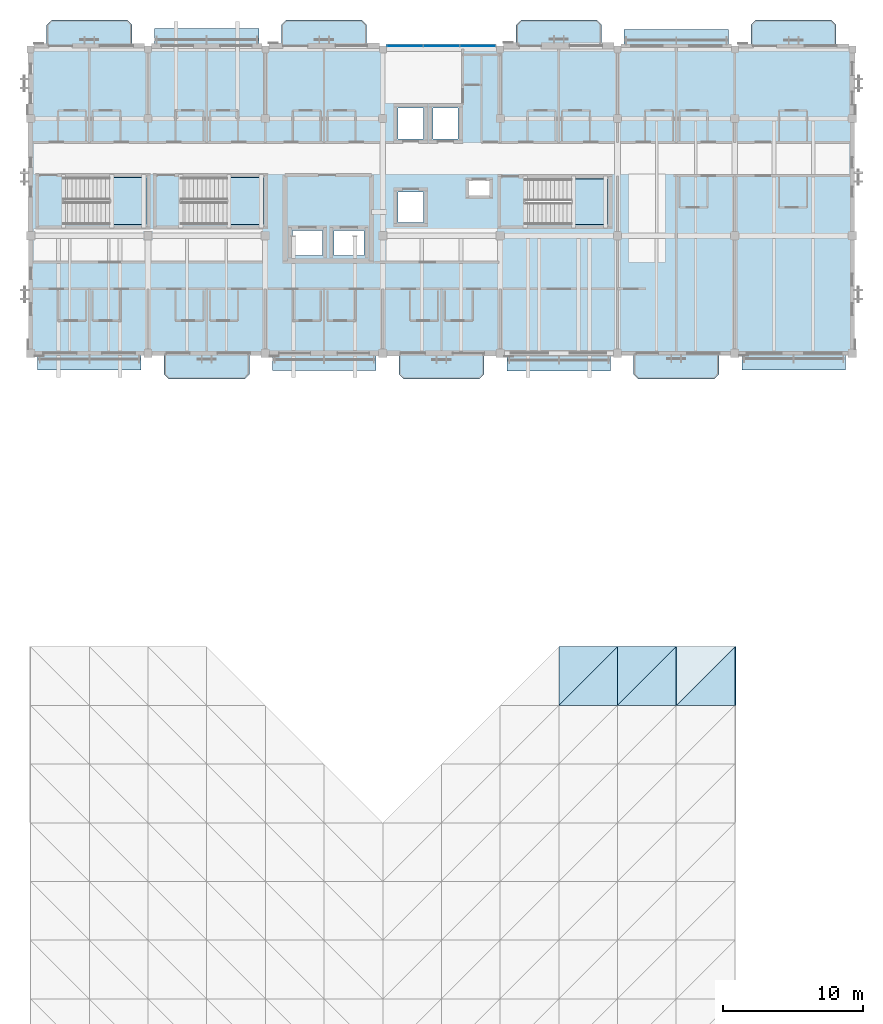
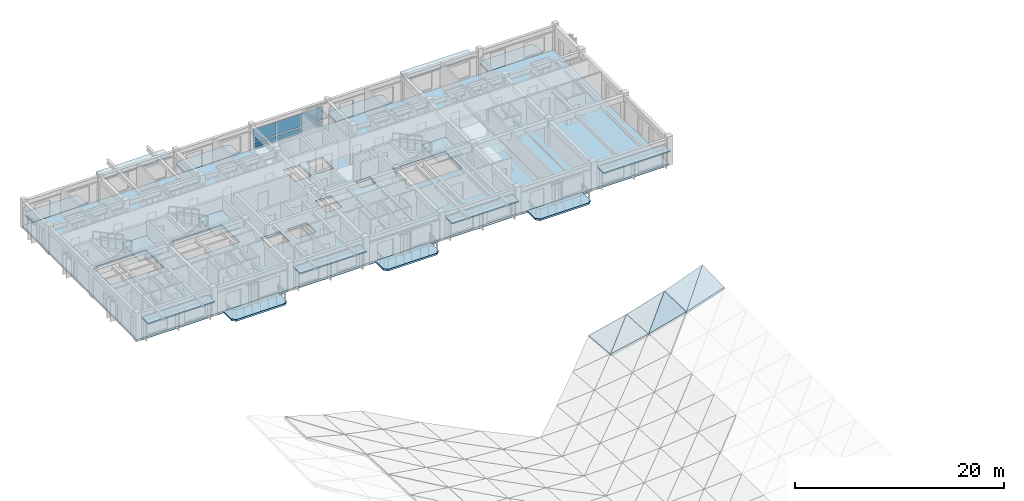
# One storey, part 11 of 31: 17 slabs, 12 plates, 10 elements without a shape of their own.
"""IFC4 building model written with IfcOpenShell, lengths in metres."""

import ifcopenshell
import ifcopenshell.guid

model = None  # the IFC model being written
_history = None  # IfcOwnerHistory: only IFC2X3 demands one
_inside = {}  # id of a spatial element -> (the spatial element, [elements in it])
_under = {}  # id of a project, library or spatial element -> (it, [spatial elements below it])
_declared = {}  # id of a project -> (the project, [libraries it declares])
_typed = {}  # id of a type object -> (the type object, [elements of that type])
_made_of = {}  # id of a material, layer set ... -> (it, [elements and type objects made of it])


def new_model(schema):
    """Start an empty IFC model of exactly this schema.

    Asked for "IFC4X3", IfcOpenShell would pick the latest addendum, in which some entities
    have other attributes; the version numbers below select the first issue.
    IFC2X3 requires an IfcOwnerHistory on every rooted entity: one is made here for all.
    """
    global model, _history
    if schema == "IFC4X3":
        model = ifcopenshell.file(schema_version=(4, 3, 0, 0))
    else:
        model = ifcopenshell.file(schema=schema)
    _inside.clear()
    _under.clear()
    _declared.clear()
    _typed.clear()
    _made_of.clear()
    _history = None
    if model.schema == "IFC2X3":
        org = make("IfcOrganization", Name="unknown")
        user = make(
            "IfcPersonAndOrganization",
            ThePerson=make("IfcPerson", FamilyName="unknown"),
            TheOrganization=org,
        )
        app = make(
            "IfcApplication",
            ApplicationDeveloper=org,
            Version="unknown",
            ApplicationFullName="unknown",
            ApplicationIdentifier="unknown",
        )
        _history = make(
            "IfcOwnerHistory",
            OwningUser=user,
            OwningApplication=app,
            ChangeAction="ADDED",
            CreationDate=0,
        )
    return model


def make(cls, **values):
    """One entity of the class cls with the attributes given. An attribute that is None is left unset."""
    return model.create_entity(
        cls, **{name: value for name, value in values.items() if value is not None}
    )


def rooted(cls, **values):
    """An entity with a GlobalId (a new one), such as an element, a storey or a relation."""
    return make(cls, GlobalId=ifcopenshell.guid.new(), OwnerHistory=_history, **values)


def si_unit(unit_type, name, prefix=None):
    """IfcSIUnit, for example si_unit("LENGTHUNIT", "METRE", prefix="MILLI")."""
    return make("IfcSIUnit", UnitType=unit_type, Prefix=prefix, Name=name)


def assignment(units):
    """IfcUnitAssignment: the units of a project."""
    return None if units is None else make("IfcUnitAssignment", Units=units)


def point(xyz):
    """IfcCartesianPoint."""
    return None if xyz is None else make("IfcCartesianPoint", Coordinates=xyz)


def direction(xyz):
    """IfcDirection."""
    return None if xyz is None else make("IfcDirection", DirectionRatios=xyz)


def frame(location, z_axis=None, x_axis=None):
    """IfcAxis2Placement3D, a coordinate frame: its origin and axes. An axis left out is left unset."""
    return make(
        "IfcAxis2Placement3D",
        Location=point(location),
        Axis=direction(z_axis),
        RefDirection=direction(x_axis),
    )


def frame_2d(location, x_axis=None):
    """IfcAxis2Placement2D, a coordinate frame in the plane: its origin and x axis."""
    return make(
        "IfcAxis2Placement2D", Location=point(location), RefDirection=direction(x_axis)
    )


def origin():
    """The frame at (0, 0, 0) with its axes left unset."""
    return frame((0.0, 0.0, 0.0))


def origin_2d():
    """The frame at (0, 0) in the plane with its x axis left unset."""
    return frame_2d((0.0, 0.0))


def place(relative_to, where):
    """IfcLocalPlacement: puts the frame where relative to a parent placement (None: the world)."""
    return make(
        "IfcLocalPlacement", PlacementRelTo=relative_to, RelativePlacement=where
    )


def context(
    kind, dimensions, precision=None, world=None, true_north=None, identifier=None
):
    """IfcGeometricRepresentationContext, for example the 3D "Model" context."""
    return make(
        "IfcGeometricRepresentationContext",
        ContextIdentifier=identifier,
        ContextType=kind,
        CoordinateSpaceDimension=dimensions,
        Precision=precision,
        WorldCoordinateSystem=world,
        TrueNorth=true_north,
    )


def subcontext(parent, identifier, kind, view, scale=None):
    """IfcGeometricRepresentationSubContext, for example "Body" below "Model"."""
    return make(
        "IfcGeometricRepresentationSubContext",
        ContextIdentifier=identifier,
        ContextType=kind,
        ParentContext=parent,
        TargetScale=scale,
        TargetView=view,
    )


def project(units=None, contexts=None):
    """IfcProject with its units and contexts."""
    return rooted(
        "IfcProject",
        Name="project",
        RepresentationContexts=contexts,
        UnitsInContext=assignment(units),
    )


def spatial(cls, under=None, at=None, **own):
    """A site, building, storey or space (cls), placed at a placement, below another one or the project."""
    s = rooted(cls, ObjectPlacement=at, **own)
    if under is not None:
        _under.setdefault(under.id(), (under, []))[1].append(s)
    return s


def polyline(points):
    """IfcPolyline through the points."""
    return make("IfcPolyline", Points=[point(p) for p in points])


def profile(cls, at=None, kind="AREA", **sizes):
    """A parametric profile (cls). Its sizes go by their IFC names, for example OverallWidth=200.0."""
    return make(cls, ProfileType=kind, Position=at, **sizes)


def rectangle(**sizes):
    """IfcRectangleProfileDef."""
    return profile("IfcRectangleProfileDef", **sizes)


def outline(outer, holes=None, kind="AREA"):
    """IfcArbitraryClosedProfileDef: a profile drawn as a closed curve; with holes, ...WithVoids."""
    if holes is None:
        return make("IfcArbitraryClosedProfileDef", ProfileType=kind, OuterCurve=outer)
    return make(
        "IfcArbitraryProfileDefWithVoids",
        ProfileType=kind,
        OuterCurve=outer,
        InnerCurves=holes,
    )


def extrude(swept, where, along, depth):
    """IfcExtrudedAreaSolid: the profile swept, set in the frame where, extruded along a direction by depth."""
    return make(
        "IfcExtrudedAreaSolid",
        SweptArea=swept,
        Position=where,
        ExtrudedDirection=direction(along),
        Depth=depth,
    )


def shape(context_of_items, identifier, shape_type, items):
    """IfcShapeRepresentation: the items that make up one representation, for example the "Body"."""
    return make(
        "IfcShapeRepresentation",
        ContextOfItems=context_of_items,
        RepresentationIdentifier=identifier,
        RepresentationType=shape_type,
        Items=items,
    )


def material(Name=None, Category=None):
    """IfcMaterial."""
    return make("IfcMaterial", Name=Name, Category=Category)


def layer(
    of_material, thickness, ventilated=None, Name=None, Category=None, Priority=None
):
    """IfcMaterialLayer: one layer of a wall or slab, of a material (None: an air gap)."""
    return make(
        "IfcMaterialLayer",
        Material=of_material,
        LayerThickness=thickness,
        IsVentilated=ventilated,
        Name=Name,
        Category=Category,
        Priority=Priority,
    )


def layer_set(layers, Name=None):
    """IfcMaterialLayerSet."""
    return make("IfcMaterialLayerSet", MaterialLayers=layers, LayerSetName=Name)


def made_of(thing, what):
    """Note that an element or type object is made of a material, layer set ...; save() writes the relation."""
    if what is not None:
        _made_of.setdefault(what.id(), (what, []))[1].append(thing)
    return thing


def type_object(cls, material=None, **own):
    """A type object (cls), such as IfcWallType, which elements share."""
    return made_of(rooted(cls, **own), material)


def element(
    cls,
    number,
    at=None,
    inside=None,
    cuts=None,
    type_object=None,
    material=None,
    context=None,
    identifier="Body",
    shape_type=None,
    held_by="IfcProductDefinitionShape",
    body=None,
    shapes=None,
    **own,
):
    """One element of the class cls, such as IfcWall. Its Tag is "e" and its number.

    at: its placement. inside: the storey or other place that contains it. cuts: it is an
    opening in that element (IfcRelVoidsElement). A single representation is given by context,
    identifier, shape_type and body (its items); several are given by shapes. held_by: the class
    of the entity that holds the representations. save() writes the other relations.
    """
    e = rooted(cls, Tag="e%d" % number, ObjectPlacement=at, **own)
    if body is not None:
        shapes = [shape(context, identifier, shape_type, body)]
    if shapes is not None:
        e.Representation = make(held_by, Representations=shapes)
    if inside is not None:
        _inside.setdefault(inside.id(), (inside, []))[1].append(e)
    if cuts is not None:
        rooted(
            "IfcRelVoidsElement", RelatingBuildingElement=cuts, RelatedOpeningElement=e
        )
    if type_object is not None:
        _typed.setdefault(type_object.id(), (type_object, []))[1].append(e)
    return made_of(e, material)


def aggregate(whole, parts):
    """IfcRelAggregates: a whole, such as a stair, and the parts it consists of."""
    return rooted("IfcRelAggregates", RelatingObject=whole, RelatedObjects=parts)


def save(model, path):
    """Write the relations noted so far, then the file.

    IfcRelAggregates (storeys below a building ...), IfcRelContainedInSpatialStructure (elements
    in a storey), IfcRelDefinesByType, IfcRelAssociatesMaterial and IfcRelDeclares: one each for
    every whole, place, type object, material and project.
    """
    for whole, parts in _under.values():
        aggregate(whole, parts)
    for where, things in _inside.values():
        rooted(
            "IfcRelContainedInSpatialStructure",
            RelatedElements=things,
            RelatingStructure=where,
        )
    for kind, things in _typed.values():
        rooted("IfcRelDefinesByType", RelatedObjects=things, RelatingType=kind)
    for what, things in _made_of.values():
        rooted("IfcRelAssociatesMaterial", RelatedObjects=things, RelatingMaterial=what)
    for by, libraries in _declared.values():
        rooted("IfcRelDeclares", RelatingContext=by, RelatedDefinitions=libraries)
    model.write(path)


model = new_model("IFC4")

# Units and contexts
model_context = context("Model", 3, precision=1e-05, world=origin(), true_north=direction((0.0, 1.0)))
body_context = subcontext(model_context, "Body", "Model", "MODEL_VIEW")
ifc_project = project(units=[si_unit("LENGTHUNIT", "METRE"), si_unit("AREAUNIT", "SQUARE_METRE"), si_unit("VOLUMEUNIT", "CUBIC_METRE"), si_unit("PLANEANGLEUNIT", "RADIAN"), si_unit("MASSUNIT", "GRAM", prefix="KILO")], contexts=[model_context])

# Site, building, storey
site_placement = place(None, origin())
site = spatial("IfcSite", under=ifc_project, at=site_placement, CompositionType="ELEMENT")
building_placement = place(site_placement, origin())
building = spatial("IfcBuilding", under=site, at=building_placement, Name="Cumbredor Promenade Congress Hotel", CompositionType="ELEMENT")
storey_placement = place(building_placement, frame((0.0, 0.0, 31.919921875)))
storey = spatial("IfcBuildingStorey", under=building, at=storey_placement, Name="L09", CompositionType="ELEMENT", Elevation=31.919921875)

# Slabs
ifc_material_1 = material(Name="Concrete C40/50", Category="concrete")
ifc_layer_1 = layer(ifc_material_1, 0.215087890625, Name="Concrete C40/50", Category="concrete")
ifc_layer_set_1 = layer_set([ifc_layer_1], Name="Concrete C40/50")
slab_type_1 = type_object("IfcSlabType", Name="Cantilevered Guestroom Balcony Slab 215mm", PredefinedType="FLOOR", material=ifc_layer_set_1)
slab_1_placement = place(storey_placement, frame((0.0, 0.0, -0.21484375)))
element("IfcSlab", 1, at=slab_1_placement, inside=storey, type_object=slab_type_1, Name="L09 Cantilevered Guestroom Veranda Balcony 053", PredefinedType="FLOOR", context=body_context, shape_type="SweptSolid", body=[
    extrude(outline(polyline([(9.550048828125, 114.39990234375), (15.64990234375, 114.39990234375), (15.64990234375, 115.89990234375), (15.300048828125, 116.25), (9.89990234375, 116.25), (9.550048828125, 115.89990234375), (9.550048828125, 114.39990234375)])), origin(), (0.0, 0.0, 1.0), 0.21484375),
])
slab_2_placement = place(storey_placement, frame((0.0, 0.0, -0.21484375)))
element("IfcSlab", 2, at=slab_2_placement, inside=storey, type_object=slab_type_1, Name="L09 Cantilevered Guestroom Veranda Balcony 054", PredefinedType="FLOOR", context=body_context, shape_type="SweptSolid", body=[
    extrude(outline(polyline([(26.35009765625, 114.39990234375), (32.449951171875, 114.39990234375), (32.449951171875, 115.89990234375), (32.10009765625, 116.25), (26.699951171875, 116.25), (26.35009765625, 115.89990234375), (26.35009765625, 114.39990234375)])), origin(), (0.0, 0.0, 1.0), 0.21484375),
])
slab_3_placement = place(storey_placement, frame((0.0, 0.0, -0.21484375)))
element("IfcSlab", 3, at=slab_3_placement, inside=storey, type_object=slab_type_1, Name="L09 Cantilevered Guestroom Veranda Balcony 055", PredefinedType="FLOOR", context=body_context, shape_type="SweptSolid", body=[
    extrude(outline(polyline([(43.14990234375, 114.39990234375), (49.25, 114.39990234375), (49.25, 115.89990234375), (48.89990234375, 116.25), (43.5, 116.25), (43.14990234375, 115.89990234375), (43.14990234375, 114.39990234375)])), origin(), (0.0, 0.0, 1.0), 0.21484375),
])
slab_4_placement = place(storey_placement, frame((0.0, 0.0, -0.21484375)))
element("IfcSlab", 4, at=slab_4_placement, inside=storey, type_object=slab_type_1, Name="L09 Cantilevered Guestroom Veranda Balcony 056", PredefinedType="FLOOR", context=body_context, shape_type="SweptSolid", body=[
    extrude(outline(polyline([(59.949951171875, 114.39990234375), (66.050048828125, 114.39990234375), (66.050048828125, 115.89990234375), (65.699951171875, 116.25), (60.300048828125, 116.25), (59.949951171875, 115.89990234375), (59.949951171875, 114.39990234375)])), origin(), (0.0, 0.0, 1.0), 0.21484375),
])
slab_5_placement = place(storey_placement, frame((0.0, 0.0, -0.21484375)))
element("IfcSlab", 5, at=slab_5_placement, inside=storey, type_object=slab_type_1, Name="L09 Cantilevered Guestroom Veranda Balcony 057", PredefinedType="FLOOR", context=body_context, shape_type="SweptSolid", body=[
    extrude(outline(polyline([(18.300048828125, 90.550048828125), (23.699951171875, 90.550048828125), (24.050048828125, 90.89990234375), (24.050048828125, 92.39990234375), (17.949951171875, 92.39990234375), (17.949951171875, 90.89990234375), (18.300048828125, 90.550048828125)])), origin(), (0.0, 0.0, 1.0), 0.21484375),
])
slab_6_placement = place(storey_placement, frame((0.0, 0.0, -0.21484375)))
element("IfcSlab", 6, at=slab_6_placement, inside=storey, type_object=slab_type_1, Name="L09 Cantilevered Guestroom Veranda Balcony 058", PredefinedType="FLOOR", context=body_context, shape_type="SweptSolid", body=[
    extrude(outline(polyline([(35.10009765625, 90.550048828125), (40.5, 90.550048828125), (40.85009765625, 90.89990234375), (40.85009765625, 92.39990234375), (34.75, 92.39990234375), (34.75, 90.89990234375), (35.10009765625, 90.550048828125)])), origin(), (0.0, 0.0, 1.0), 0.21484375),
])
slab_7_placement = place(storey_placement, frame((0.0, 0.0, -0.21484375)))
element("IfcSlab", 7, at=slab_7_placement, inside=storey, type_object=slab_type_1, Name="L09 Cantilevered Guestroom Veranda Balcony 059", PredefinedType="FLOOR", context=body_context, shape_type="SweptSolid", body=[
    extrude(outline(polyline([(51.89990234375, 90.550048828125), (57.300048828125, 90.550048828125), (57.64990234375, 90.89990234375), (57.64990234375, 92.39990234375), (51.550048828125, 92.39990234375), (51.550048828125, 90.89990234375), (51.89990234375, 90.550048828125)])), origin(), (0.0, 0.0, 1.0), 0.21484375),
])
ifc_layer_2 = layer(ifc_material_1, 0.25, Name="Concrete C40/50", Category="concrete")
ifc_layer_set_2 = layer_set([ifc_layer_2], Name="Concrete C40/50")
slab_type_2 = type_object("IfcSlabType", Name="Catenary Space Frame Roof Deck 250mm", PredefinedType="ROOF", material=ifc_layer_set_2)
slab_8_placement = place(storey_placement, frame((46.199951171875, 67.199951171875, 0.350341796875), z_axis=(-0.205963343256, 0.061539212814, 0.976622765719), x_axis=(0.978477306539, 0.0, 0.206354453765)))
element("IfcSlab", 8, at=slab_8_placement, inside=storey, type_object=slab_type_2, Name="Plenary Congress Hall Sweeping Roof Deck Facet 13.17.1", PredefinedType="ROOF", context=body_context, shape_type="SweptSolid", body=[
    extrude(outline(polyline([(0.0, 0.0), (4.292333755528742, 0.0), (4.237722371768619, 4.2079265961241745), (0.0, 0.0)])), origin(), (0.0, 0.0, -1.0), 0.25),
])
slab_9_placement = place(storey_placement, frame((46.199951171875, 67.199951171875, 0.350341796875), z_axis=(-0.231257969912, 0.087974902339, 0.968906686895), x_axis=(0.703272296544, 0.703272296544, 0.104000739546)))
element("IfcSlab", 9, at=slab_9_placement, inside=storey, type_object=slab_type_2, Name="Plenary Congress Hall Sweeping Roof Deck Facet 13.17.2", PredefinedType="ROOF", context=body_context, shape_type="SweptSolid", body=[
    extrude(outline(polyline([(0.0, 0.0), (5.972012821365794, -3.3306690738754696e-16), (2.9140488677450915, 3.0484971834422123), (0.0, 0.0)])), origin(), (0.0, 0.0, -1.0), 0.25),
])
slab_10_placement = place(storey_placement, frame((50.39990234375, 67.199951171875, 1.236083984375), z_axis=(-0.261616348868, 0.026359449419, 0.964811932675), x_axis=(0.965147293036, 0.0, 0.26170728447)))
element("IfcSlab", 10, at=slab_10_placement, inside=storey, type_object=slab_type_2, Name="Plenary Congress Hall Sweeping Roof Deck Facet 14.17.1", PredefinedType="ROOF", context=body_context, shape_type="SweptSolid", body=[
    extrude(outline(polyline([(0.0, 0.0), (4.351869753771831, 3.469446951953614e-18), (4.321839865173025, 4.20141103891964), (0.0, 0.0)])), origin(), (0.0, 0.0, -1.0), 0.25),
])
slab_11_placement = place(storey_placement, frame((50.39990234375, 67.199951171875, 1.236083984375), z_axis=(-0.29281693134, 0.06013108631, 0.954275902022), x_axis=(0.696844478616, 0.696803973822, 0.169917611474)))
element("IfcSlab", 11, at=slab_11_placement, inside=storey, type_object=slab_type_2, Name="Plenary Congress Hall Sweeping Roof Deck Facet 14.17.2", PredefinedType="ROOF", context=body_context, shape_type="SweptSolid", body=[
    extrude(outline(polyline([(0.0, 0.0), (6.0274500859115046, 1.1102230246251565e-16), (2.881574236039302, 3.0669461299148844), (0.0, 0.0)])), origin(), (0.0, 0.0, -1.0), 0.25),
])
slab_12_placement = place(storey_placement, frame((54.60009765625, 67.199951171875, 2.375), z_axis=(-0.314533857634, -0.015558419199, 0.949118742831), x_axis=(0.949233637624, 0.0, 0.314571933273)))
element("IfcSlab", 12, at=slab_12_placement, inside=storey, type_object=slab_type_2, Name="Plenary Congress Hall Sweeping Roof Deck Facet 15.17.1", PredefinedType="ROOF", context=body_context, shape_type="SweptSolid", body=[
    extrude(outline(polyline([(0.0, 0.0), (4.424570522371829, 0.0), (4.446228062699702, 4.20045959352691), (0.0, 0.0)])), origin(), (0.0, 0.0, -1.0), 0.25),
])
slab_13_placement = place(storey_placement, frame((54.60009765625, 67.199951171875, 2.375), z_axis=(-0.351098055303, 0.02557199535, 0.935989438304), x_axis=(0.686647917834, 0.686647917834, 0.238808027228)))
element("IfcSlab", 13, at=slab_13_placement, inside=storey, type_object=slab_type_2, Name="Plenary Congress Hall Sweeping Roof Deck Facet 15.17.2", PredefinedType="ROOF", context=body_context, shape_type="SweptSolid", body=[
    extrude(outline(polyline([(0.0, 0.0), (6.116600753882061, -5.551115123125783e-17), (2.8564854388919025, 3.0811113984345986), (0.0, 0.0)])), origin(), (0.0, 0.0, -1.0), 0.25),
])

# Stair, slab
stair_type_1 = type_object("IfcStairType", Name="Protected Dog-Leg Exit Stair ST-T2 1600mm", PredefinedType="HALF_TURN_STAIR", material=ifc_material_1)
stair_1_placement = place(storey_placement, origin())
stair_1 = element("IfcStair", 14, at=stair_1_placement, inside=storey, type_object=stair_type_1, Name="L09 Protected Exit Stair ST-01", PredefinedType="HALF_TURN_STAIR")
ifc_layer_3 = layer(ifc_material_1, 0.199951171875, Name="Concrete C40/50", Category="concrete")
ifc_layer_set_3 = layer_set([ifc_layer_3], Name="Concrete C40/50")
slab_type_3 = type_object("IfcSlabType", Name="Concrete Stair Landing Slab 200mm", PredefinedType="LANDING", material=ifc_layer_set_3)
slab_14_placement = place(storey_placement, frame((0.0, 0.0, 1.47998046875)))
slab_14 = element("IfcSlab", 15, at=slab_14_placement, type_object=slab_type_3, Name="ST-01 landing 1", PredefinedType="LANDING", context=body_context, shape_type="SweptSolid", body=[
    extrude(outline(polyline([(14.050048828125, 101.6201171875), (16.64990234375, 101.6201171875), (16.64990234375, 104.969970703125), (14.050048828125, 104.969970703125), (14.050048828125, 101.6201171875)])), origin(), (0.0, 0.0, 1.0), 0.2001953125),
])
aggregate(stair_1, [slab_14])

stair_2_placement = place(storey_placement, origin())
stair_2 = element("IfcStair", 16, at=stair_2_placement, inside=storey, type_object=stair_type_1, Name="L09 Protected Exit Stair ST-02", PredefinedType="HALF_TURN_STAIR")
slab_15_placement = place(storey_placement, frame((0.0, 0.0, 1.47998046875)))
slab_15 = element("IfcSlab", 17, at=slab_15_placement, type_object=slab_type_3, Name="ST-02 landing 1", PredefinedType="LANDING", context=body_context, shape_type="SweptSolid", body=[
    extrude(outline(polyline([(22.449951171875, 101.6201171875), (25.050048828125, 101.6201171875), (25.050048828125, 104.969970703125), (22.449951171875, 104.969970703125), (22.449951171875, 101.6201171875)])), origin(), (0.0, 0.0, 1.0), 0.2001953125),
])
aggregate(stair_2, [slab_15])

stair_type_2 = type_object("IfcStairType", Name="Protected Dog-Leg Exit Stair ST-T1 1550mm", PredefinedType="HALF_TURN_STAIR", material=ifc_material_1)
stair_3_placement = place(storey_placement, origin())
stair_3 = element("IfcStair", 18, at=stair_3_placement, inside=storey, type_object=stair_type_2, Name="L09 Protected Exit Stair ST-03", PredefinedType="HALF_TURN_STAIR")
slab_16_placement = place(storey_placement, frame((0.0, 0.0, 1.47998046875)))
slab_16 = element("IfcSlab", 19, at=slab_16_placement, type_object=slab_type_3, Name="ST-03 landing 1", PredefinedType="LANDING", context=body_context, shape_type="SweptSolid", body=[
    extrude(outline(polyline([(47.10009765625, 101.6201171875), (49.699951171875, 101.6201171875), (49.699951171875, 104.8701171875), (47.10009765625, 104.8701171875), (47.10009765625, 101.6201171875)])), origin(), (0.0, 0.0, 1.0), 0.2001953125),
])
aggregate(stair_3, [slab_16])

# Curtain wall, plates
ifc_material_2 = material(Name="Thermally broken anodized aluminium and low-E glass", Category="aluminium")
curtain_wall_type_1 = type_object("IfcCurtainWallType", Name="Unitised Bronze Curtain Wall CW-01", PredefinedType="NOTDEFINED", material=ifc_material_2)
curtain_wall_1_placement = place(storey_placement, origin())
curtain_wall_1 = element("IfcCurtainWall", 20, at=curtain_wall_1_placement, inside=storey, type_object=curtain_wall_type_1, Name="L09 Stepped Congress Hotel Wing North Curtain Wall 4", PredefinedType="NOTDEFINED")
ifc_material_3 = material(Name="Laminated low-E solar-control glass", Category="glass")
ifc_layer_4 = layer(ifc_material_3, 0.028076171875, Name="Laminated low-E solar-control glass", Category="glass")
ifc_layer_set_4 = layer_set([ifc_layer_4], Name="Laminated low-E solar-control glass")
plate_type_1 = type_object("IfcPlateType", Name="Glazed Vision Panel PNL-01", PredefinedType="CURTAIN_PANEL", material=ifc_layer_set_4)
plate_1_placement = place(storey_placement, frame((35.203369140625, 114.39990234375, 0.78515625), z_axis=(0.0, 0.0, 1.0), x_axis=(1.0, 0.0, 0.0)))
plate_1 = element("IfcPlate", 21, at=plate_1_placement, type_object=plate_type_1, Name="L09 Stepped Congress Hotel Wing North Curtain Wall 4 Glazing Panel 1.2", PredefinedType="CURTAIN_PANEL", context=body_context, shape_type="SweptSolid", body=[
    extrude(rectangle(XDim=2.53173828125, YDim=0.028076171875, at=origin_2d()), origin(), (0.0, 0.0, 1.0), 1.56005859375),
])
plate_2_placement = place(storey_placement, frame((37.800048828125, 114.39990234375, 0.78515625), z_axis=(0.0, 0.0, 1.0), x_axis=(1.0, 0.0, 0.0)))
plate_2 = element("IfcPlate", 22, at=plate_2_placement, type_object=plate_type_1, Name="L09 Stepped Congress Hotel Wing North Curtain Wall 4 Glazing Panel 2.2", PredefinedType="CURTAIN_PANEL", context=body_context, shape_type="SweptSolid", body=[
    extrude(rectangle(XDim=2.531494140625, YDim=0.028076171875, at=origin_2d()), origin(), (0.0, 0.0, 1.0), 1.56005859375),
])
plate_3_placement = place(storey_placement, frame((40.396728515625, 114.39990234375, 0.78515625), z_axis=(0.0, 0.0, 1.0), x_axis=(1.0, 0.0, 0.0)))
plate_3 = element("IfcPlate", 23, at=plate_3_placement, type_object=plate_type_1, Name="L09 Stepped Congress Hotel Wing North Curtain Wall 4 Glazing Panel 3.2", PredefinedType="CURTAIN_PANEL", context=body_context, shape_type="SweptSolid", body=[
    extrude(rectangle(XDim=2.53173828125, YDim=0.028076171875, at=origin_2d()), origin(), (0.0, 0.0, 1.0), 1.56005859375),
])

# Curtain wall, plate
curtain_wall_type_2 = type_object("IfcCurtainWallType", Name="Solar Brise-Soleil Screen Assembly CW-07", PredefinedType="NOTDEFINED", material=ifc_material_2)
curtain_wall_2_placement = place(storey_placement, origin())
curtain_wall_2 = element("IfcCurtainWall", 24, at=curtain_wall_2_placement, inside=storey, type_object=curtain_wall_type_2, Name="L09 Hospitality Brise-Soleil Screen 111", PredefinedType="NOTDEFINED")
ifc_material_4 = material(Name="Precast concrete C40/50", Category="concrete")
ifc_layer_5 = layer(ifc_material_4, 0.14501953125, Name="Precast concrete C40/50", Category="concrete")
ifc_layer_set_5 = layer_set([ifc_layer_5], Name="Precast concrete C40/50")
plate_type_2 = type_object("IfcPlateType", Name="Horizontal Precast Sun-Hood Eyebrow Plate 145mm", PredefinedType="USERDEFINED", material=ifc_layer_set_5)
plate_4_placement = place(storey_placement, frame((12.60009765625, 91.833740234375, 2.31396484375), z_axis=(0.0, 0.0, 1.0), x_axis=(1.0, 0.0, 0.0)))
plate_4 = element("IfcPlate", 25, at=plate_4_placement, type_object=plate_type_2, Name="L09 Horizontal Sun-Hood Eyebrow 111", ObjectType="SUN HOOD", PredefinedType="USERDEFINED", context=body_context, shape_type="SweptSolid", body=[
    extrude(rectangle(XDim=7.39794921875, YDim=1.29248046875, at=origin_2d()), origin(), (0.0, 0.0, 1.0), 0.14501953125),
])
aggregate(curtain_wall_2, [plate_4])

curtain_wall_3_placement = place(storey_placement, origin())
curtain_wall_3 = element("IfcCurtainWall", 26, at=curtain_wall_3_placement, inside=storey, type_object=curtain_wall_type_2, Name="L09 Hospitality Brise-Soleil Screen 112", PredefinedType="NOTDEFINED")
plate_5_placement = place(storey_placement, frame((29.39990234375, 91.820068359375, 2.31396484375), z_axis=(0.0, 0.0, 1.0), x_axis=(1.0, 0.0, 0.0)))
plate_5 = element("IfcPlate", 27, at=plate_5_placement, type_object=plate_type_2, Name="L09 Horizontal Sun-Hood Eyebrow 112", ObjectType="SUN HOOD", PredefinedType="USERDEFINED", context=body_context, shape_type="SweptSolid", body=[
    extrude(rectangle(XDim=7.39794921875, YDim=1.320068359375, at=origin_2d()), origin(), (0.0, 0.0, 1.0), 0.14501953125),
])
aggregate(curtain_wall_3, [plate_5])

curtain_wall_4_placement = place(storey_placement, origin())
curtain_wall_4 = element("IfcCurtainWall", 28, at=curtain_wall_4_placement, inside=storey, type_object=curtain_wall_type_2, Name="L09 Hospitality Brise-Soleil Screen 113", PredefinedType="NOTDEFINED")
plate_6_placement = place(storey_placement, frame((46.199951171875, 91.802490234375, 2.31396484375), z_axis=(0.0, 0.0, 1.0), x_axis=(1.0, 0.0, 0.0)))
plate_6 = element("IfcPlate", 29, at=plate_6_placement, type_object=plate_type_2, Name="L09 Horizontal Sun-Hood Eyebrow 113", ObjectType="SUN HOOD", PredefinedType="USERDEFINED", context=body_context, shape_type="SweptSolid", body=[
    extrude(rectangle(XDim=7.39794921875, YDim=1.35498046875, at=origin_2d()), origin(), (0.0, 0.0, 1.0), 0.14501953125),
])
aggregate(curtain_wall_4, [plate_6])

curtain_wall_5_placement = place(storey_placement, origin())
curtain_wall_5 = element("IfcCurtainWall", 30, at=curtain_wall_5_placement, inside=storey, type_object=curtain_wall_type_2, Name="L09 Hospitality Brise-Soleil Screen 114", PredefinedType="NOTDEFINED")
plate_7_placement = place(storey_placement, frame((63.0, 91.844970703125, 2.254150390625), z_axis=(0.0, 0.0, 1.0), x_axis=(1.0, 0.0, 0.0)))
plate_7 = element("IfcPlate", 31, at=plate_7_placement, type_object=plate_type_2, Name="L09 Horizontal Sun-Hood Eyebrow 114", ObjectType="SUN HOOD", PredefinedType="USERDEFINED", context=body_context, shape_type="SweptSolid", body=[
    extrude(rectangle(XDim=7.39794921875, YDim=1.27001953125, at=origin_2d()), origin(), (0.0, 0.0, 1.0), 0.14501953125),
])
aggregate(curtain_wall_5, [plate_7])

curtain_wall_6_placement = place(storey_placement, origin())
curtain_wall_6 = element("IfcCurtainWall", 32, at=curtain_wall_6_placement, inside=storey, type_object=curtain_wall_type_2, Name="L09 Hospitality Brise-Soleil Screen 115", PredefinedType="NOTDEFINED")
plate_8_placement = place(storey_placement, frame((21.0, 114.972412109375, 2.31396484375), z_axis=(0.0, 0.0, 1.0), x_axis=(1.0, 0.0, 0.0)))
plate_8 = element("IfcPlate", 33, at=plate_8_placement, type_object=plate_type_2, Name="L09 Horizontal Sun-Hood Eyebrow 115", ObjectType="SUN HOOD", PredefinedType="USERDEFINED", context=body_context, shape_type="SweptSolid", body=[
    extrude(rectangle(XDim=7.498046875, YDim=1.304931640625, at=origin_2d()), origin(), (0.0, 0.0, 1.0), 0.14501953125),
])
aggregate(curtain_wall_6, [plate_8])

curtain_wall_7_placement = place(storey_placement, origin())
curtain_wall_7 = element("IfcCurtainWall", 34, at=curtain_wall_7_placement, inside=storey, type_object=curtain_wall_type_2, Name="L09 Hospitality Brise-Soleil Screen 116", PredefinedType="NOTDEFINED")
plate_9_placement = place(storey_placement, frame((54.60009765625, 114.949951171875, 2.254150390625), z_axis=(0.0, 0.0, 1.0), x_axis=(1.0, 0.0, 0.0)))
plate_9 = element("IfcPlate", 35, at=plate_9_placement, type_object=plate_type_2, Name="L09 Horizontal Sun-Hood Eyebrow 116", ObjectType="SUN HOOD", PredefinedType="USERDEFINED", context=body_context, shape_type="SweptSolid", body=[
    extrude(rectangle(XDim=7.498046875, YDim=1.260009765625, at=origin_2d()), origin(), (0.0, 0.0, 1.0), 0.14501953125),
])
aggregate(curtain_wall_7, [plate_9])

# Slab
ifc_layer_6 = layer(ifc_material_1, 0.25, Name="Concrete C40/50", Category="concrete")
ifc_layer_set_6 = layer_set([ifc_layer_6], Name="Concrete C40/50")
slab_type_4 = type_object("IfcSlabType", Name="Hotel Executive Floor Slab 250mm", PredefinedType="FLOOR", material=ifc_layer_set_6)
slab_17_placement = place(storey_placement, frame((0.0, 0.0, -0.239990234375)))
element("IfcSlab", 36, at=slab_17_placement, inside=storey, type_object=slab_type_4, Name="L09 Stepped Congress Hotel Wing Floor Slab", PredefinedType="FLOOR", context=body_context, shape_type="SweptSolid", body=[
    extrude(outline(polyline([(8.39990234375, 92.39990234375), (67.199951171875, 92.39990234375), (67.199951171875, 114.39990234375), (8.39990234375, 114.39990234375), (8.39990234375, 92.39990234375)]), holes=[polyline([(10.75, 101.6201171875), (16.64990234375, 101.6201171875), (16.64990234375, 104.969970703125), (10.75, 104.969970703125), (10.75, 101.6201171875)]), polyline([(19.14990234375, 101.6201171875), (25.050048828125, 101.6201171875), (25.050048828125, 104.969970703125), (19.14990234375, 104.969970703125), (19.14990234375, 101.6201171875)]), polyline([(43.800048828125, 101.6201171875), (49.699951171875, 101.6201171875), (49.699951171875, 104.8701171875), (43.800048828125, 104.8701171875), (43.800048828125, 101.6201171875)]), polyline([(27.1298828125, 99.39990234375), (29.300048828125, 99.39990234375), (29.300048828125, 101.199951171875), (27.1298828125, 101.199951171875), (27.1298828125, 99.39990234375)]), polyline([(30.10009765625, 99.39990234375), (32.27001953125, 99.39990234375), (32.27001953125, 101.199951171875), (30.10009765625, 101.199951171875), (30.10009765625, 99.39990234375)]), polyline([(34.699951171875, 107.75), (36.5, 107.75), (36.5, 109.949951171875), (34.699951171875, 109.949951171875), (34.699951171875, 107.75)]), polyline([(37.199951171875, 107.75), (39.0, 107.75), (39.0, 109.949951171875), (37.199951171875, 109.949951171875), (37.199951171875, 107.75)]), polyline([(34.699951171875, 101.75), (36.5, 101.75), (36.5, 103.949951171875), (34.699951171875, 103.949951171875), (34.699951171875, 101.75)]), polyline([(39.699951171875, 103.60009765625), (41.300048828125, 103.60009765625), (41.300048828125, 104.800048828125), (39.699951171875, 104.800048828125), (39.699951171875, 103.60009765625)])]), origin(), (0.0, 0.0, 1.0), 0.239990234375),
])

# Plate
ifc_material_5 = material(Name="Thermally broken anodized aluminium", Category="aluminium")
ifc_layer_7 = layer(ifc_material_5, 0.0400390625, Name="Thermally broken anodized aluminium", Category="aluminium")
ifc_layer_set_7 = layer_set([ifc_layer_7], Name="Thermally broken anodized aluminium")
plate_type_3 = type_object("IfcPlateType", Name="Insulated Spandrel Panel PNL-06", PredefinedType="CURTAIN_PANEL", material=ifc_layer_set_7)
plate_10_placement = place(storey_placement, frame((35.203369140625, 114.39990234375, 0.135009765625), z_axis=(0.0, 0.0, 1.0), x_axis=(1.0, 0.0, 0.0)))
plate_10 = element("IfcPlate", 37, at=plate_10_placement, type_object=plate_type_3, Name="L09 Stepped Congress Hotel Wing North Curtain Wall 4 Spandrel Panel 1.1", PredefinedType="CURTAIN_PANEL", context=body_context, shape_type="SweptSolid", body=[
    extrude(rectangle(XDim=2.53173828125, YDim=0.0400390625, at=origin_2d()), origin(), (0.0, 0.0, 1.0), 0.52001953125),
])

plate_11_placement = place(storey_placement, frame((37.800048828125, 114.39990234375, 0.135009765625), z_axis=(0.0, 0.0, 1.0), x_axis=(1.0, 0.0, 0.0)))
plate_11 = element("IfcPlate", 38, at=plate_11_placement, type_object=plate_type_3, Name="L09 Stepped Congress Hotel Wing North Curtain Wall 4 Spandrel Panel 2.1", PredefinedType="CURTAIN_PANEL", context=body_context, shape_type="SweptSolid", body=[
    extrude(rectangle(XDim=2.531494140625, YDim=0.0400390625, at=origin_2d()), origin(), (0.0, 0.0, 1.0), 0.52001953125),
])

plate_12_placement = place(storey_placement, frame((40.396728515625, 114.39990234375, 0.135009765625), z_axis=(0.0, 0.0, 1.0), x_axis=(1.0, 0.0, 0.0)))
plate_12 = element("IfcPlate", 39, at=plate_12_placement, type_object=plate_type_3, Name="L09 Stepped Congress Hotel Wing North Curtain Wall 4 Spandrel Panel 3.1", PredefinedType="CURTAIN_PANEL", context=body_context, shape_type="SweptSolid", body=[
    extrude(rectangle(XDim=2.53173828125, YDim=0.0400390625, at=origin_2d()), origin(), (0.0, 0.0, 1.0), 0.52001953125),
])

aggregate(curtain_wall_1, [plate_10, plate_1, plate_11, plate_2, plate_12, plate_3])

save(model, "model.ifc")
